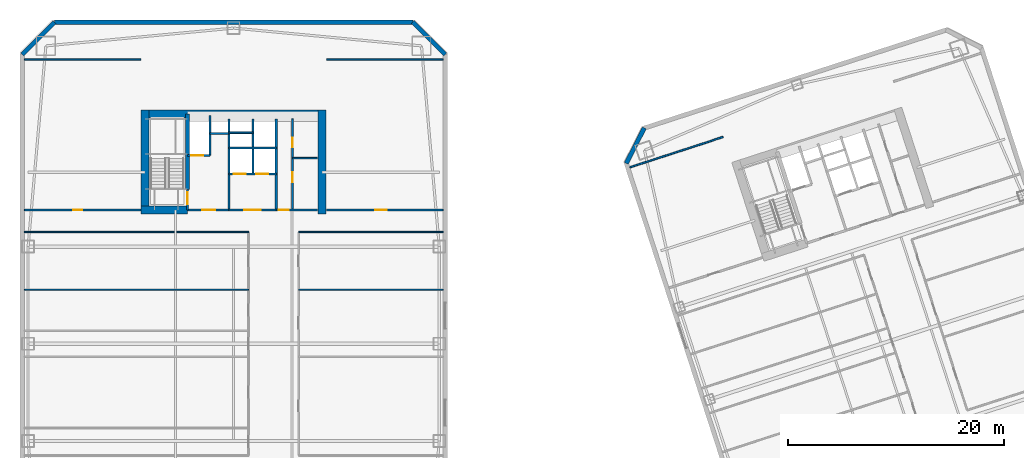
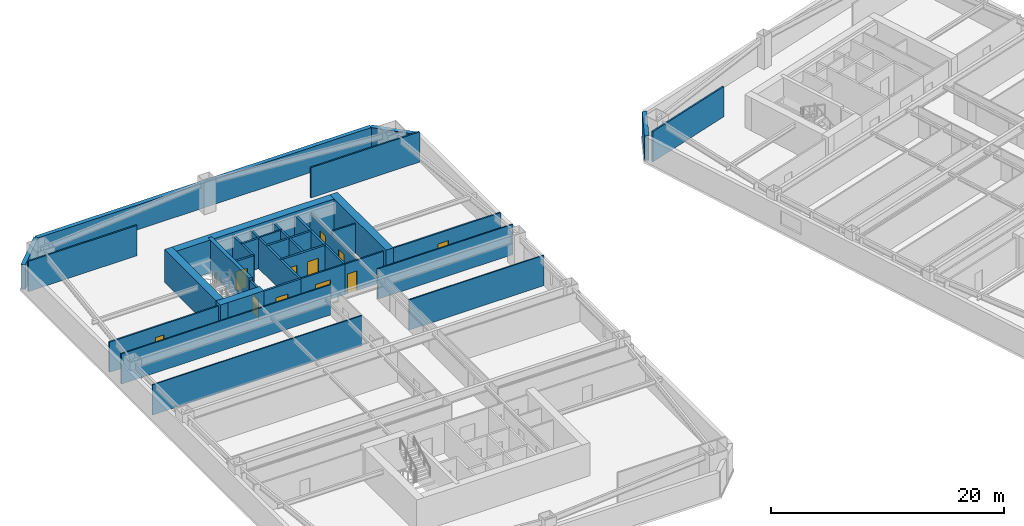
# One storey, part 7 of 13: 33 walls, 11 doors, 11 openings.
"""IFC4 building model written with IfcOpenShell, lengths in metres."""

from ifc_helpers import new_model, si_unit, direction, frame, frame_2d, origin, place, context, subcontext, project, spatial, rectangle, extrude, material, layer, layer_set, type_object, element, fill, save


model = new_model("IFC4")

# Units and contexts
model_context = context("Model", 3, precision=1e-05, world=origin(), true_north=direction((0.0, 1.0)))
body_context = subcontext(model_context, "Body", "Model", "MODEL_VIEW")
ifc_project = project(units=[si_unit("LENGTHUNIT", "METRE"), si_unit("AREAUNIT", "SQUARE_METRE"), si_unit("VOLUMEUNIT", "CUBIC_METRE"), si_unit("PLANEANGLEUNIT", "RADIAN"), si_unit("MASSUNIT", "GRAM", prefix="KILO")], contexts=[model_context])

# Site, building, storey
site_placement = place(None, origin())
site = spatial("IfcSite", under=ifc_project, at=site_placement, CompositionType="ELEMENT")
building_placement = place(site_placement, origin())
building = spatial("IfcBuilding", under=site, at=building_placement, Name="Qiaolan Cultural Towers", CompositionType="ELEMENT")
storey_placement = place(building_placement, frame((0.0, 0.0, 85.10009765625)))
storey = spatial("IfcBuildingStorey", under=building, at=storey_placement, Name="L21", CompositionType="ELEMENT", Elevation=85.10009765625)

# Walls
ifc_material_1 = material(Name="Concrete C50", Category="concrete")
ifc_layer_1 = layer(ifc_material_1, 0.35009765625)
ifc_layer_set_1 = layer_set([ifc_layer_1], Name="Concrete C50")
wall_type_1 = type_object("IfcWallType", Name="WL-CORE-350", PredefinedType="SHEAR", material=ifc_layer_set_1)
wall_1_placement = place(storey_placement, frame((25.719970703125, 48.300048828125, 0.0), z_axis=(0.0, 0.0, 1.0), x_axis=(0.0, 1.0, 0.0)))
element("IfcWall", 1, at=wall_1_placement, inside=storey, type_object=wall_type_1, Name="L21 T1-CN Stair Core Dividing Web", PredefinedType="SHEAR", context=body_context, shape_type="SweptSolid", body=[
    extrude(rectangle(XDim=6.97998046875, YDim=0.35009765625, at=frame_2d((3.489990234375, 0.0))), origin(), (0.0, 0.0, 1.0), 3.449951171875),
])
ifc_material_2 = material(Name="Concrete C60", Category="concrete")
ifc_layer_2 = layer(ifc_material_2, 0.75)
ifc_layer_set_2 = layer_set([ifc_layer_2], Name="Concrete C60")
wall_type_2 = type_object("IfcWallType", Name="WL-CORE-750", PredefinedType="SHEAR", material=ifc_layer_set_2)
wall_2_placement = place(storey_placement, frame((21.425048828125, 55.280029296875, 0.0), z_axis=(0.0, 0.0, 1.0), x_axis=(1.0, 0.0, 0.0)))
element("IfcWall", 2, at=wall_2_placement, inside=storey, type_object=wall_type_2, Name="L21 T1-CN Outer Core Shear Wall", PredefinedType="SHEAR", context=body_context, shape_type="SweptSolid", body=[
    extrude(rectangle(XDim=17.14990234375, YDim=0.75, at=frame_2d((8.574951171875, 0.0))), origin(), (0.0, 0.0, 1.0), 3.449951171875),
])
for number, where, z_axis, x_axis, name in (
    (3, (21.800048828125, 46.02490234375, 0.0), (0.0, 0.0, 1.0), (0.0, 1.0, 0.0), "L21 T1-CN West Core Shear Wall"),
    (4, (38.199951171875, 46.02490234375, 0.0), (0.0, 0.0, 1.0), (0.0, 1.0, 0.0), "L21 T1-CN East Core Shear Wall"),
):
    element("IfcWall", number, at=place(storey_placement, frame(where, z_axis=z_axis, x_axis=x_axis)), inside=storey, type_object=wall_type_2, Name=name, PredefinedType="SHEAR", context=body_context, shape_type="SweptSolid", body=[
        extrude(rectangle(XDim=9.630126953125, YDim=0.75, at=frame_2d((4.81494140625, 0.0))), origin(), (0.0, 0.0, 1.0), 3.449951171875),
    ])
wall_3_placement = place(storey_placement, frame((21.425048828125, 46.39990234375, 0.0), z_axis=(0.0, 0.0, 1.0), x_axis=(1.0, 0.0, 0.0)))
element("IfcWall", 5, at=wall_3_placement, inside=storey, type_object=wall_type_2, Name="L21 T1-CN Stair Front Shear Wall", PredefinedType="SHEAR", context=body_context, shape_type="SweptSolid", body=[
    extrude(rectangle(XDim=4.294921875, YDim=0.75, at=frame_2d((2.1474609375, 0.0))), origin(), (0.0, 0.0, 1.0), 3.449951171875),
])
ifc_material_3 = material(Name="Precast Concrete C50 Honed Stone Pier", Category="masonry")
ifc_layer_3 = layer(ifc_material_3, 0.39990234375)
ifc_layer_set_3 = layer_set([ifc_layer_3], Name="Precast Concrete C50 Honed Stone Pier")
wall_type_3 = type_object("IfcWallType", Name="WL-EXT-PIER-400", PredefinedType="SOLIDWALL", material=ifc_layer_set_3)
wall_4_placement = place(storey_placement, frame((10.39990234375, 60.800048828125, 0.0), z_axis=(0.0, 0.0, 1.0), x_axis=(0.707106781187, 0.707106781187, 0.0)))
element("IfcWall", 6, at=wall_4_placement, inside=storey, type_object=wall_type_3, Name="L21 West Tower Precast Pier Facade Wall F2", PredefinedType="SOLIDWALL", context=body_context, shape_type="SweptSolid", body=[
    extrude(rectangle(XDim=4.24267578125, YDim=0.39990234375, at=frame_2d((2.121337890625, 0.0))), origin(), (0.0, 0.0, 1.0), 2.60986328125),
])
wall_5_placement = place(storey_placement, frame((13.39990234375, 63.800048828125, 0.0), z_axis=(0.0, 0.0, 1.0), x_axis=(1.0, 0.0, 0.0)))
element("IfcWall", 7, at=wall_5_placement, inside=storey, type_object=wall_type_3, Name="L21 West Tower Precast Pier Facade Wall F3", PredefinedType="SOLIDWALL", context=body_context, shape_type="SweptSolid", body=[
    extrude(rectangle(XDim=33.2001953125, YDim=0.39990234375, at=frame_2d((16.60009765625, 0.0))), origin(), (0.0, 0.0, 1.0), 2.60986328125),
])
wall_6_placement = place(storey_placement, frame((46.60009765625, 63.800048828125, 0.0), z_axis=(0.0, 0.0, 1.0), x_axis=(0.707106781187, -0.707106781187, 0.0)))
element("IfcWall", 8, at=wall_6_placement, inside=storey, type_object=wall_type_3, Name="L21 West Tower Precast Pier Facade Wall F4", PredefinedType="SOLIDWALL", context=body_context, shape_type="SweptSolid", body=[
    extrude(rectangle(XDim=4.24267578125, YDim=0.39990234375, at=frame_2d((2.121337890625, 0.0))), origin(), (0.0, 0.0, 1.0), 2.60986328125),
])
wall_7_placement = place(storey_placement, frame((66.37744140625, 50.718505859375, 0.0), z_axis=(0.0, 0.0, 1.0), x_axis=(0.454026238093, 0.890988313685, 0.0)))
element("IfcWall", 9, at=wall_7_placement, inside=storey, type_object=wall_type_3, Name="L21 East Tower Precast Pier Facade Wall F2", PredefinedType="SOLIDWALL", context=body_context, shape_type="SweptSolid", body=[
    extrude(rectangle(XDim=3.677001953125, YDim=0.39990234375, at=frame_2d((1.83837890625, 0.0))), origin(), (0.0, 0.0, 1.0), 2.60986328125),
])

# Wall, opening, door
ifc_material_4 = material(Name="Concrete C35 Fire Wall", Category="concrete")
ifc_layer_4 = layer(ifc_material_4, 0.199951171875)
ifc_layer_set_4 = layer_set([ifc_layer_4], Name="Concrete C35 Fire Wall")
wall_type_4 = type_object("IfcWallType", Name="WL-FIRE-200", PredefinedType="PARTITIONING", material=ifc_layer_set_4)
wall_8_placement = place(storey_placement, frame((25.719970703125, 46.39990234375, 0.0), z_axis=(0.0, 0.0, 1.0), x_axis=(0.0, 1.0, 0.0)))
wall_8 = element("IfcWall", 10, at=wall_8_placement, inside=storey, type_object=wall_type_4, Name="L21 T1-CN Smokeproof Stair Entry Wall", PredefinedType="PARTITIONING", context=body_context, shape_type="SweptSolid", body=[
    extrude(rectangle(XDim=1.900146484375, YDim=0.199951171875, at=frame_2d((0.9501953125, 0.0))), origin(), (0.0, 0.0, 1.0), 3.1748046875),
])
opening_1_placement = place(wall_8_placement, frame((0.52001953125, 0.0, 0.0)))
opening_1 = element("IfcOpeningElement", 11, at=opening_1_placement, cuts=wall_8, Name="Opening FD-04", PredefinedType="OPENING", context=body_context, shape_type="SweptSolid", body=[
    extrude(rectangle(XDim=1.10009765625, YDim=2.050048828125, at=frame_2d((0.550048828125, 1.02490234375))), frame((0.0, 0.10986328125, 0.0), z_axis=(0.0, -1.0, 0.0), x_axis=(1.0, 0.0, 0.0)), (0.0, 0.0, 1.0), 0.219970703125),
])
ifc_material_5 = material(Name="Galvanized Steel Command Fire Door", Category="steel")
door_type_1 = type_object("IfcDoorType", Name="DR-FD90-1100", OperationType="NOTDEFINED", PredefinedType="DOOR", material=ifc_material_5)
door_1_placement = place(opening_1_placement, origin())
door_1 = element("IfcDoor", 12, at=door_1_placement, inside=storey, type_object=door_type_1, Name="L21 ST-W2 Smokeproof Stair Fire Door", OperationType="SINGLE_SWING_LEFT", OverallHeight=2.050048828125, OverallWidth=1.10009765625, PredefinedType="DOOR", context=body_context, shape_type="SweptSolid", body=[
    extrude(rectangle(XDim=1.10009765625, YDim=2.050048828125, at=frame_2d((0.550048828125, 1.02490234375))), frame((0.0, 0.02490234375, 0.0), z_axis=(0.0, -1.0, 0.0), x_axis=(1.0, 0.0, 0.0)), (0.0, 0.0, 1.0), 0.050048828125),
])
fill(opening_1, door_1)

# Wall
wall_9_placement = place(storey_placement, frame((29.550048828125, 46.39990234375, 0.0), z_axis=(0.0, 0.0, 1.0), x_axis=(0.0, 1.0, 0.0)))
element("IfcWall", 13, at=wall_9_placement, inside=storey, type_object=wall_type_4, Name="L21 T1-CN Firefighting Zone Wall", PredefinedType="PARTITIONING", context=body_context, shape_type="SweptSolid", body=[
    extrude(rectangle(XDim=8.43017578125, YDim=0.199951171875, at=frame_2d((4.215087890625, 0.0))), origin(), (0.0, 0.0, 1.0), 3.1748046875),
])

# Wall, opening, door
wall_10_placement = place(storey_placement, frame((25.719970703125, 46.39990234375, 0.0), z_axis=(0.0, 0.0, 1.0), x_axis=(1.0, 0.0, 0.0)))
wall_10 = element("IfcWall", 14, at=wall_10_placement, inside=storey, type_object=wall_type_4, Name="L21 T1-CN Firefighting Lobby Front Wall", PredefinedType="PARTITIONING", context=body_context, shape_type="SweptSolid", body=[
    extrude(rectangle(XDim=3.830078125, YDim=0.199951171875, at=frame_2d((1.9150390625, 0.0))), origin(), (0.0, 0.0, 1.0), 3.1748046875),
])
opening_2_placement = place(wall_10_placement, frame((1.35009765625, 0.0, 0.0)))
opening_2 = element("IfcOpeningElement", 15, at=opening_2_placement, cuts=wall_10, Name="Opening FD-03", PredefinedType="OPENING", context=body_context, shape_type="SweptSolid", body=[
    extrude(rectangle(XDim=1.199951171875, YDim=2.050048828125, at=frame_2d((0.60009765625, 1.02490234375))), frame((0.0, 0.10986328125, 0.0), z_axis=(0.0, -1.0, 0.0), x_axis=(1.0, 0.0, 0.0)), (0.0, 0.0, 1.0), 0.219970703125),
])
ifc_material_6 = material(Name="Galvanized Steel Smokeproof Lobby Fire Door", Category="steel")
door_type_2 = type_object("IfcDoorType", Name="DR-FD90-1200", OperationType="NOTDEFINED", PredefinedType="DOOR", material=ifc_material_6)
door_2_placement = place(opening_2_placement, origin())
door_2 = element("IfcDoor", 16, at=door_2_placement, inside=storey, type_object=door_type_2, Name="L21 FFL-W2 Firefighting Lobby Fire Door", OperationType="SINGLE_SWING_LEFT", OverallHeight=2.050048828125, OverallWidth=1.199951171875, PredefinedType="DOOR", context=body_context, shape_type="SweptSolid", body=[
    extrude(rectangle(XDim=1.199951171875, YDim=2.050048828125, at=frame_2d((0.60009765625, 1.02490234375))), frame((0.0, 0.02490234375, 0.0), z_axis=(0.0, -1.0, 0.0), x_axis=(1.0, 0.0, 0.0)), (0.0, 0.0, 1.0), 0.050048828125),
])
fill(opening_2, door_2)

wall_11_placement = place(storey_placement, frame((25.719970703125, 51.449951171875, 0.0), z_axis=(0.0, 0.0, 1.0), x_axis=(1.0, 0.0, 0.0)))
wall_11 = element("IfcWall", 17, at=wall_11_placement, inside=storey, type_object=wall_type_4, Name="L21 T1-CN Firefighting Shaft Front Wall", PredefinedType="PARTITIONING", context=body_context, shape_type="SweptSolid", body=[
    extrude(rectangle(XDim=2.10009765625, YDim=0.199951171875, at=frame_2d((1.050048828125, 0.0))), origin(), (0.0, 0.0, 1.0), 3.1748046875),
])
opening_3_placement = place(wall_11_placement, frame((0.35009765625, 0.0, 0.0)))
opening_3 = element("IfcOpeningElement", 18, at=opening_3_placement, cuts=wall_11, Name="Opening LD-01", PredefinedType="OPENING", context=body_context, shape_type="SweptSolid", body=[
    extrude(rectangle(XDim=1.10009765625, YDim=2.050048828125, at=frame_2d((0.550048828125, 1.02490234375))), frame((0.0, 0.10986328125, 0.0), z_axis=(0.0, -1.0, 0.0), x_axis=(1.0, 0.0, 0.0)), (0.0, 0.0, 1.0), 0.219970703125),
])
ifc_material_7 = material(Name="Brushed Stainless Steel S30408 Centre-Parting Lift Landing Door", Category="steel")
door_type_3 = type_object("IfcDoorType", Name="DR-LIFT-1100", OperationType="NOTDEFINED", PredefinedType="DOOR", material=ifc_material_7)
door_3_placement = place(opening_3_placement, origin())
door_3 = element("IfcDoor", 19, at=door_3_placement, inside=storey, type_object=door_type_3, Name="L21 FFL-W2 Firefighting Lift Landing Door", OperationType="DOUBLE_DOOR_SLIDING", OverallHeight=2.050048828125, OverallWidth=1.10009765625, PredefinedType="DOOR", context=body_context, shape_type="SweptSolid", body=[
    extrude(rectangle(XDim=1.10009765625, YDim=2.050048828125, at=frame_2d((0.550048828125, 1.02490234375))), frame((0.0, 0.02490234375, 0.0), z_axis=(0.0, -1.0, 0.0), x_axis=(1.0, 0.0, 0.0)), (0.0, 0.0, 1.0), 0.050048828125),
])
fill(opening_3, door_3)

# Walls
wall_12_placement = place(storey_placement, frame((27.820068359375, 51.449951171875, 0.0), z_axis=(0.0, 0.0, 1.0), x_axis=(0.0, 1.0, 0.0)))
element("IfcWall", 20, at=wall_12_placement, inside=storey, type_object=wall_type_4, Name="L21 T1-CN Firefighting Hoistway East Wall", PredefinedType="PARTITIONING", context=body_context, shape_type="SweptSolid", body=[
    extrude(rectangle(XDim=3.699951171875, YDim=0.199951171875, at=frame_2d((1.85009765625, 0.0))), origin(), (0.0, 0.0, 1.0), 3.1748046875),
])
wall_13_placement = place(storey_placement, frame((27.820068359375, 53.47998046875, 0.0), z_axis=(0.0, 0.0, 1.0), x_axis=(1.0, 0.0, 0.0)))
element("IfcWall", 21, at=wall_13_placement, inside=storey, type_object=wall_type_4, Name="L21 T1-CN Pressurization Shaft Front Wall", PredefinedType="PARTITIONING", context=body_context, shape_type="SweptSolid", body=[
    extrude(rectangle(XDim=1.72998046875, YDim=0.199951171875, at=frame_2d((0.864990234375, 0.0))), origin(), (0.0, 0.0, 1.0), 3.1748046875),
])
wall_14_placement = place(storey_placement, frame((33.949951171875, 46.39990234375, 0.0), z_axis=(0.0, 0.0, 1.0), x_axis=(0.0, 1.0, 0.0)))
element("IfcWall", 22, at=wall_14_placement, inside=storey, type_object=wall_type_4, Name="L21 T1-CN Lift Core East Wall", PredefinedType="PARTITIONING", context=body_context, shape_type="SweptSolid", body=[
    extrude(rectangle(XDim=8.43017578125, YDim=0.199951171875, at=frame_2d((4.215087890625, 0.0))), origin(), (0.0, 0.0, 1.0), 3.1748046875),
])

# Wall, openings, doors
wall_15_placement = place(storey_placement, frame((29.550048828125, 49.719970703125, 0.0), z_axis=(0.0, 0.0, 1.0), x_axis=(1.0, 0.0, 0.0)))
wall_15 = element("IfcWall", 23, at=wall_15_placement, inside=storey, type_object=wall_type_4, Name="L21 T1-CN Passenger Lift Shaft Front Wall", PredefinedType="PARTITIONING", context=body_context, shape_type="SweptSolid", body=[
    extrude(rectangle(XDim=4.39990234375, YDim=0.199951171875, at=frame_2d((2.199951171875, 0.0))), origin(), (0.0, 0.0, 1.0), 3.1748046875),
])
opening_4_placement = place(wall_15_placement, frame((0.449951171875, 0.0, 0.0)))
opening_4 = element("IfcOpeningElement", 24, at=opening_4_placement, cuts=wall_15, Name="Opening LD-01", PredefinedType="OPENING", context=body_context, shape_type="SweptSolid", body=[
    extrude(rectangle(XDim=1.10009765625, YDim=2.050048828125, at=frame_2d((0.550048828125, 1.02490234375))), frame((0.0, 0.10986328125, 0.0), z_axis=(0.0, -1.0, 0.0), x_axis=(1.0, 0.0, 0.0)), (0.0, 0.0, 1.0), 0.219970703125),
])
opening_5_placement = place(wall_15_placement, frame((2.550048828125, 0.0, 0.0)))
opening_5 = element("IfcOpeningElement", 25, at=opening_5_placement, cuts=wall_15, Name="Opening LD-01", PredefinedType="OPENING", context=body_context, shape_type="SweptSolid", body=[
    extrude(rectangle(XDim=1.10009765625, YDim=2.050048828125, at=frame_2d((0.550048828125, 1.02490234375))), frame((0.0, 0.10986328125, 0.0), z_axis=(0.0, -1.0, 0.0), x_axis=(1.0, 0.0, 0.0)), (0.0, 0.0, 1.0), 0.219970703125),
])
door_4_placement = place(opening_4_placement, origin())
door_4 = element("IfcDoor", 26, at=door_4_placement, inside=storey, type_object=door_type_3, Name="L21 Passenger Lift 1 Landing Door", OperationType="DOUBLE_DOOR_SLIDING", OverallHeight=2.050048828125, OverallWidth=1.10009765625, PredefinedType="DOOR", context=body_context, shape_type="SweptSolid", body=[
    extrude(rectangle(XDim=1.10009765625, YDim=2.050048828125, at=frame_2d((0.550048828125, 1.02490234375))), frame((0.0, 0.02490234375, 0.0), z_axis=(0.0, -1.0, 0.0), x_axis=(1.0, 0.0, 0.0)), (0.0, 0.0, 1.0), 0.050048828125),
])
fill(opening_4, door_4)
door_5_placement = place(opening_5_placement, origin())
door_5 = element("IfcDoor", 27, at=door_5_placement, inside=storey, type_object=door_type_3, Name="L21 Passenger Lift 2 Landing Door", OperationType="DOUBLE_DOOR_SLIDING", OverallHeight=2.050048828125, OverallWidth=1.10009765625, PredefinedType="DOOR", context=body_context, shape_type="SweptSolid", body=[
    extrude(rectangle(XDim=1.10009765625, YDim=2.050048828125, at=frame_2d((0.550048828125, 1.02490234375))), frame((0.0, 0.02490234375, 0.0), z_axis=(0.0, -1.0, 0.0), x_axis=(1.0, 0.0, 0.0)), (0.0, 0.0, 1.0), 0.050048828125),
])
fill(opening_5, door_5)

# Walls
wall_16_placement = place(storey_placement, frame((31.780029296875, 49.719970703125, 0.0), z_axis=(0.0, 0.0, 1.0), x_axis=(0.0, 1.0, 0.0)))
element("IfcWall", 28, at=wall_16_placement, inside=storey, type_object=wall_type_4, Name="L21 T1-CN Lift Shaft Divider Wall", PredefinedType="PARTITIONING", context=body_context, shape_type="SweptSolid", body=[
    extrude(rectangle(XDim=5.110107421875, YDim=0.199951171875, at=frame_2d((2.55517578125, 0.0))), origin(), (0.0, 0.0, 1.0), 3.1748046875),
])
wall_17_placement = place(storey_placement, frame((29.550048828125, 52.14990234375, 0.0), z_axis=(0.0, 0.0, 1.0), x_axis=(1.0, 0.0, 0.0)))
element("IfcWall", 29, at=wall_17_placement, inside=storey, type_object=wall_type_4, Name="L21 T1-CN Passenger Lift Shaft Back Wall", PredefinedType="PARTITIONING", context=body_context, shape_type="SweptSolid", body=[
    extrude(rectangle(XDim=4.39990234375, YDim=0.199951171875, at=frame_2d((2.199951171875, 0.0))), origin(), (0.0, 0.0, 1.0), 3.1748046875),
])
ifc_material_8 = material(Name="Gypsum Stud Acoustic Partition", Category="gypsum")
ifc_layer_5 = layer(ifc_material_8, 0.1201171875)
ifc_layer_set_5 = layer_set([ifc_layer_5], Name="Gypsum Stud Acoustic Partition")
wall_type_5 = type_object("IfcWallType", Name="WL-PART-120", PredefinedType="PARTITIONING", material=ifc_layer_set_5)
wall_18_placement = place(storey_placement, frame((10.60009765625, 44.35009765625, 0.0), z_axis=(0.0, 0.0, 1.0), x_axis=(1.0, 0.0, 0.0)))
element("IfcWall", 30, at=wall_18_placement, inside=storey, type_object=wall_type_5, Name="L21 T1 North Corridor Left Wall", PredefinedType="PARTITIONING", context=body_context, shape_type="SweptSolid", body=[
    extrude(rectangle(XDim=20.77490234375, YDim=0.1201171875, at=frame_2d((10.387451171875, 0.0))), origin(), (0.0, 0.0, 1.0), 3.1748046875),
])
wall_19_placement = place(storey_placement, frame((36.02490234375, 44.35009765625, 0.0), z_axis=(0.0, 0.0, 1.0), x_axis=(1.0, 0.0, 0.0)))
element("IfcWall", 31, at=wall_19_placement, inside=storey, type_object=wall_type_5, Name="L21 T1 North Corridor Right Wall", PredefinedType="PARTITIONING", context=body_context, shape_type="SweptSolid", body=[
    extrude(rectangle(XDim=13.375, YDim=0.1201171875, at=frame_2d((6.6875, 0.0))), origin(), (0.0, 0.0, 1.0), 3.1748046875),
])
wall_20_placement = place(storey_placement, frame((10.60009765625, 39.0, 0.0), z_axis=(0.0, 0.0, 1.0), x_axis=(1.0, 0.0, 0.0)))
element("IfcWall", 32, at=wall_20_placement, inside=storey, type_object=wall_type_5, Name="L21 T1 West Partition 4", PredefinedType="PARTITIONING", context=body_context, shape_type="SweptSolid", body=[
    extrude(rectangle(XDim=20.77490234375, YDim=0.1201171875, at=frame_2d((10.387451171875, 0.0))), origin(), (0.0, 0.0, 1.0), 3.1748046875),
])
wall_21_placement = place(storey_placement, frame((36.02490234375, 39.0, 0.0), z_axis=(0.0, 0.0, 1.0), x_axis=(1.0, 0.0, 0.0)))
element("IfcWall", 33, at=wall_21_placement, inside=storey, type_object=wall_type_5, Name="L21 T1 East Partition 2", PredefinedType="PARTITIONING", context=body_context, shape_type="SweptSolid", body=[
    extrude(rectangle(XDim=13.375, YDim=0.1201171875, at=frame_2d((6.6875, 0.0))), origin(), (0.0, 0.0, 1.0), 3.1748046875),
])

# Wall, opening, door
ifc_material_9 = material(Name="Autoclaved Aerated Concrete Block B06", Category="concrete")
ifc_layer_6 = layer(ifc_material_9, 0.14990234375)
ifc_layer_set_6 = layer_set([ifc_layer_6], Name="Autoclaved Aerated Concrete Block B06")
wall_type_6 = type_object("IfcWallType", Name="WL-PART-150", PredefinedType="PARTITIONING", material=ifc_layer_set_6)
wall_22_placement = place(storey_placement, frame((29.550048828125, 46.39990234375, 0.0), z_axis=(0.0, 0.0, 1.0), x_axis=(1.0, 0.0, 0.0)))
wall_22 = element("IfcWall", 34, at=wall_22_placement, inside=storey, type_object=wall_type_6, Name="L21 T1-CN Passenger Lift Lobby Front Wall", PredefinedType="PARTITIONING", context=body_context, shape_type="SweptSolid", body=[
    extrude(rectangle(XDim=4.39990234375, YDim=0.14990234375, at=frame_2d((2.199951171875, 0.0))), origin(), (0.0, 0.0, 1.0), 3.1748046875),
])
opening_6_placement = place(wall_22_placement, frame((1.449951171875, 0.0, 0.0)))
opening_6 = element("IfcOpeningElement", 35, at=opening_6_placement, cuts=wall_22, Name="Opening FD-05", PredefinedType="OPENING", context=body_context, shape_type="SweptSolid", body=[
    extrude(rectangle(XDim=1.5, YDim=2.050048828125, at=frame_2d((0.75, 1.02490234375))), frame((0.0, 0.0849609375, 0.0), z_axis=(0.0, -1.0, 0.0), x_axis=(1.0, 0.0, 0.0)), (0.0, 0.0, 1.0), 0.169921875),
])
ifc_material_10 = material(Name="Painted Steel Lift Lobby Fire Door", Category="steel")
door_type_4 = type_object("IfcDoorType", Name="DR-FD60-1500", OperationType="NOTDEFINED", PredefinedType="DOOR", material=ifc_material_10)
door_6_placement = place(opening_6_placement, origin())
door_6 = element("IfcDoor", 36, at=door_6_placement, inside=storey, type_object=door_type_4, Name="L21 Passenger Lift Lobby Entrance", OperationType="SINGLE_SWING_LEFT", OverallHeight=2.050048828125, OverallWidth=1.5, PredefinedType="DOOR", context=body_context, shape_type="SweptSolid", body=[
    extrude(rectangle(XDim=1.5, YDim=2.050048828125, at=frame_2d((0.75, 1.02490234375))), frame((0.0, 0.02490234375, 0.0), z_axis=(0.0, -1.0, 0.0), x_axis=(1.0, 0.0, 0.0)), (0.0, 0.0, 1.0), 0.050048828125),
])
fill(opening_6, door_6)

# Wall
wall_23_placement = place(storey_placement, frame((29.550048828125, 53.550048828125, 0.0), z_axis=(0.0, 0.0, 1.0), x_axis=(1.0, 0.0, 0.0)))
element("IfcWall", 37, at=wall_23_placement, inside=storey, type_object=wall_type_6, Name="L21 T1-CN Core Rear Riser Split", PredefinedType="PARTITIONING", context=body_context, shape_type="SweptSolid", body=[
    extrude(rectangle(XDim=2.22998046875, YDim=0.14990234375, at=frame_2d((1.114990234375, 0.0))), origin(), (0.0, 0.0, 1.0), 3.1748046875),
])

# Wall, opening, door
wall_24_placement = place(storey_placement, frame((33.949951171875, 46.39990234375, 0.0), z_axis=(0.0, 0.0, 1.0), x_axis=(1.0, 0.0, 0.0)))
wall_24 = element("IfcWall", 38, at=wall_24_placement, inside=storey, type_object=wall_type_6, Name="L21 T1-CN Sanitary Core Front Wall", PredefinedType="PARTITIONING", context=body_context, shape_type="SweptSolid", body=[
    extrude(rectangle(XDim=3.800048828125, YDim=0.14990234375, at=frame_2d((1.89990234375, 0.0))), origin(), (0.0, 0.0, 1.0), 3.1748046875),
])
opening_7_placement = place(wall_24_placement, frame((0.219970703125, 0.0, 0.0)))
opening_7 = element("IfcOpeningElement", 39, at=opening_7_placement, cuts=wall_24, Name="Opening ID-05", PredefinedType="OPENING", context=body_context, shape_type="SweptSolid", body=[
    extrude(rectangle(XDim=0.949951171875, YDim=2.050048828125, at=frame_2d((0.47509765625, 1.02490234375))), frame((0.0, 0.0849609375, 0.0), z_axis=(0.0, -1.0, 0.0), x_axis=(1.0, 0.0, 0.0)), (0.0, 0.0, 1.0), 0.169921875),
])
ifc_material_11 = material(Name="Fire-Rated Laminate Accessible Core Door", Category="timber")
door_type_5 = type_object("IfcDoorType", Name="DR-INT-950", OperationType="NOTDEFINED", PredefinedType="DOOR", material=ifc_material_11)
door_7_placement = place(opening_7_placement, origin())
door_7 = element("IfcDoor", 40, at=door_7_placement, inside=storey, type_object=door_type_5, Name="L21 Sanitary Lobby Door", OperationType="SINGLE_SWING_LEFT", OverallHeight=2.050048828125, OverallWidth=0.949951171875, PredefinedType="DOOR", context=body_context, shape_type="SweptSolid", body=[
    extrude(rectangle(XDim=0.949951171875, YDim=2.050048828125, at=frame_2d((0.47509765625, 1.02490234375))), frame((0.0, 0.02490234375, 0.0), z_axis=(0.0, -1.0, 0.0), x_axis=(1.0, 0.0, 0.0)), (0.0, 0.0, 1.0), 0.050048828125),
])
fill(opening_7, door_7)

# Wall, openings, doors
wall_25_placement = place(storey_placement, frame((35.449951171875, 46.39990234375, 0.0), z_axis=(0.0, 0.0, 1.0), x_axis=(0.0, 1.0, 0.0)))
wall_25 = element("IfcWall", 41, at=wall_25_placement, inside=storey, type_object=wall_type_6, Name="L21 T1-CN Washroom Split Wall", PredefinedType="PARTITIONING", context=body_context, shape_type="SweptSolid", body=[
    extrude(rectangle(XDim=8.43017578125, YDim=0.14990234375, at=frame_2d((4.215087890625, 0.0))), origin(), (0.0, 0.0, 1.0), 2.81494140625),
])
opening_8_placement = place(wall_25_placement, frame((2.550048828125, 0.0, 0.0)))
opening_8 = element("IfcOpeningElement", 42, at=opening_8_placement, cuts=wall_25, Name="Opening ID-05", PredefinedType="OPENING", context=body_context, shape_type="SweptSolid", body=[
    extrude(rectangle(XDim=0.949951171875, YDim=2.050048828125, at=frame_2d((0.47509765625, 1.02490234375))), frame((0.0, 0.0849609375, 0.0), z_axis=(0.0, -1.0, 0.0), x_axis=(1.0, 0.0, 0.0)), (0.0, 0.0, 1.0), 0.169921875),
])
opening_9_placement = place(wall_25_placement, frame((5.800048828125, 0.0, 0.0)))
opening_9 = element("IfcOpeningElement", 43, at=opening_9_placement, cuts=wall_25, Name="Opening ID-06", PredefinedType="OPENING", context=body_context, shape_type="SweptSolid", body=[
    extrude(rectangle(XDim=0.89990234375, YDim=2.050048828125, at=frame_2d((0.449951171875, 1.02490234375))), frame((0.0, 0.0849609375, 0.0), z_axis=(0.0, -1.0, 0.0), x_axis=(1.0, 0.0, 0.0)), (0.0, 0.0, 1.0), 0.169921875),
])
ifc_material_12 = material(Name="Fire-Rated Laminate Core Service Door", Category="timber")
door_type_6 = type_object("IfcDoorType", Name="DR-INT-900", OperationType="NOTDEFINED", PredefinedType="DOOR", material=ifc_material_12)
door_8_placement = place(opening_9_placement, origin())
door_8 = element("IfcDoor", 44, at=door_8_placement, inside=storey, type_object=door_type_6, Name="L21 First-Aid Room Door", OperationType="SINGLE_SWING_RIGHT", OverallHeight=2.050048828125, OverallWidth=0.89990234375, PredefinedType="DOOR", context=body_context, shape_type="SweptSolid", body=[
    extrude(rectangle(XDim=0.89990234375, YDim=2.050048828125, at=frame_2d((0.449951171875, 1.02490234375))), frame((0.0, 0.02490234375, 0.0), z_axis=(0.0, -1.0, 0.0), x_axis=(1.0, 0.0, 0.0)), (0.0, 0.0, 1.0), 0.050048828125),
])
fill(opening_9, door_8)
door_9_placement = place(opening_8_placement, origin())
door_9 = element("IfcDoor", 45, at=door_9_placement, inside=storey, type_object=door_type_5, Name="L21 Accessible Washroom Door", OperationType="SINGLE_SWING_LEFT", OverallHeight=2.050048828125, OverallWidth=0.949951171875, PredefinedType="DOOR", context=body_context, shape_type="SweptSolid", body=[
    extrude(rectangle(XDim=0.949951171875, YDim=2.050048828125, at=frame_2d((0.47509765625, 1.02490234375))), frame((0.0, 0.02490234375, 0.0), z_axis=(0.0, -1.0, 0.0), x_axis=(1.0, 0.0, 0.0)), (0.0, 0.0, 1.0), 0.050048828125),
])
fill(opening_8, door_9)

# Walls
wall_26_placement = place(storey_placement, frame((35.449951171875, 51.199951171875, 0.0), z_axis=(0.0, 0.0, 1.0), x_axis=(1.0, 0.0, 0.0)))
element("IfcWall", 46, at=wall_26_placement, inside=storey, type_object=wall_type_6, Name="L21 T1-CN First-Aid Wall", PredefinedType="PARTITIONING", context=body_context, shape_type="SweptSolid", body=[
    extrude(rectangle(XDim=2.300048828125, YDim=0.14990234375, at=frame_2d((1.14990234375, 0.0))), origin(), (0.0, 0.0, 1.0), 3.1748046875),
])
wall_27_placement = place(storey_placement, frame((10.60009765625, 60.35009765625, 0.0), z_axis=(0.0, 0.0, 1.0), x_axis=(1.0, 0.0, 0.0)))
element("IfcWall", 47, at=wall_27_placement, inside=storey, type_object=wall_type_6, Name="L21 T1 Flank Wall FLK-NW", PredefinedType="PARTITIONING", context=body_context, shape_type="SweptSolid", body=[
    extrude(rectangle(XDim=10.7998046875, YDim=0.14990234375, at=frame_2d((5.39990234375, 0.0))), origin(), (0.0, 0.0, 1.0), 3.1748046875),
])

# Wall, opening, door
wall_28_placement = place(storey_placement, frame((10.60009765625, 46.39990234375, 0.0), z_axis=(0.0, 0.0, 1.0), x_axis=(1.0, 0.0, 0.0)))
wall_28 = element("IfcWall", 48, at=wall_28_placement, inside=storey, type_object=wall_type_6, Name="L21 T1 Flank Front FLK-NW", PredefinedType="PARTITIONING", context=body_context, shape_type="SweptSolid", body=[
    extrude(rectangle(XDim=10.7998046875, YDim=0.14990234375, at=frame_2d((5.39990234375, 0.0))), origin(), (0.0, 0.0, 1.0), 3.1748046875),
])
opening_10_placement = place(wall_28_placement, frame((4.535888671875, 0.0, 0.0)))
opening_10 = element("IfcOpeningElement", 49, at=opening_10_placement, cuts=wall_28, Name="Opening ID-09", PredefinedType="OPENING", context=body_context, shape_type="SweptSolid", body=[
    extrude(rectangle(XDim=0.85009765625, YDim=2.050048828125, at=frame_2d((0.425048828125, 1.02490234375))), frame((0.0, 0.0849609375, 0.0), z_axis=(0.0, -1.0, 0.0), x_axis=(1.0, 0.0, 0.0)), (0.0, 0.0, 1.0), 0.169921875),
])
ifc_material_13 = material(Name="Moisture-Resistant Laminate Utility Door", Category="timber")
door_type_7 = type_object("IfcDoorType", Name="DR-INT-850", OperationType="NOTDEFINED", PredefinedType="DOOR", material=ifc_material_13)
door_10_placement = place(opening_10_placement, origin())
door_10 = element("IfcDoor", 50, at=door_10_placement, inside=storey, type_object=door_type_7, Name="L21 T1 Corner Studio Door", OperationType="SINGLE_SWING_LEFT", OverallHeight=2.050048828125, OverallWidth=0.85009765625, PredefinedType="DOOR", context=body_context, shape_type="SweptSolid", body=[
    extrude(rectangle(XDim=0.85009765625, YDim=2.050048828125, at=frame_2d((0.425048828125, 1.02490234375))), frame((0.0, 0.02490234375, 0.0), z_axis=(0.0, -1.0, 0.0), x_axis=(1.0, 0.0, 0.0)), (0.0, 0.0, 1.0), 0.050048828125),
])
fill(opening_10, door_10)

# Wall
wall_29_placement = place(storey_placement, frame((38.60009765625, 60.35009765625, 0.0), z_axis=(0.0, 0.0, 1.0), x_axis=(1.0, 0.0, 0.0)))
element("IfcWall", 51, at=wall_29_placement, inside=storey, type_object=wall_type_6, Name="L21 T1 Flank Wall FLK-NE", PredefinedType="PARTITIONING", context=body_context, shape_type="SweptSolid", body=[
    extrude(rectangle(XDim=10.7998046875, YDim=0.14990234375, at=frame_2d((5.39990234375, 0.0))), origin(), (0.0, 0.0, 1.0), 3.1748046875),
])

# Wall, opening, door
wall_30_placement = place(storey_placement, frame((38.60009765625, 46.39990234375, 0.0), z_axis=(0.0, 0.0, 1.0), x_axis=(1.0, 0.0, 0.0)))
wall_30 = element("IfcWall", 52, at=wall_30_placement, inside=storey, type_object=wall_type_6, Name="L21 T1 Flank Front FLK-NE", PredefinedType="PARTITIONING", context=body_context, shape_type="SweptSolid", body=[
    extrude(rectangle(XDim=10.7998046875, YDim=0.14990234375, at=frame_2d((5.39990234375, 0.0))), origin(), (0.0, 0.0, 1.0), 3.1748046875),
])
opening_11_placement = place(wall_30_placement, frame((4.535888671875, 0.0, 0.0)))
opening_11 = element("IfcOpeningElement", 53, at=opening_11_placement, cuts=wall_30, Name="Opening ID-07", PredefinedType="OPENING", context=body_context, shape_type="SweptSolid", body=[
    extrude(rectangle(XDim=1.050048828125, YDim=2.050048828125, at=frame_2d((0.52490234375, 1.02490234375))), frame((0.0, 0.0849609375, 0.0), z_axis=(0.0, -1.0, 0.0), x_axis=(1.0, 0.0, 0.0)), (0.0, 0.0, 1.0), 0.169921875),
])
ifc_material_14 = material(Name="Oak Veneer Consultation Door", Category="timber")
door_type_8 = type_object("IfcDoorType", Name="DR-INT-1050", OperationType="NOTDEFINED", PredefinedType="DOOR", material=ifc_material_14)
door_11_placement = place(opening_11_placement, origin())
door_11 = element("IfcDoor", 54, at=door_11_placement, inside=storey, type_object=door_type_8, Name="L21 T1 Corner Studio Door", OperationType="SINGLE_SWING_LEFT", OverallHeight=2.050048828125, OverallWidth=1.050048828125, PredefinedType="DOOR", context=body_context, shape_type="SweptSolid", body=[
    extrude(rectangle(XDim=1.050048828125, YDim=2.050048828125, at=frame_2d((0.52490234375, 1.02490234375))), frame((0.0, 0.02490234375, 0.0), z_axis=(0.0, -1.0, 0.0), x_axis=(1.0, 0.0, 0.0)), (0.0, 0.0, 1.0), 0.050048828125),
])
fill(opening_11, door_11)

# Wall
wall_31_placement = place(storey_placement, frame((66.706787109375, 50.352294921875, 0.0), z_axis=(0.0, 0.0, 1.0), x_axis=(0.951057133767, 0.309015093986, 0.0)))
element("IfcWall", 55, at=wall_31_placement, inside=storey, type_object=wall_type_6, Name="L21 T2 Flank Wall FLK-NW", PredefinedType="PARTITIONING", context=body_context, shape_type="SweptSolid", body=[
    extrude(rectangle(XDim=9.099853515625, YDim=0.14990234375, at=frame_2d((4.5498046875, 0.0))), origin(), (0.0, 0.0, 1.0), 3.1748046875),
])

save(model, "model.ifc")
